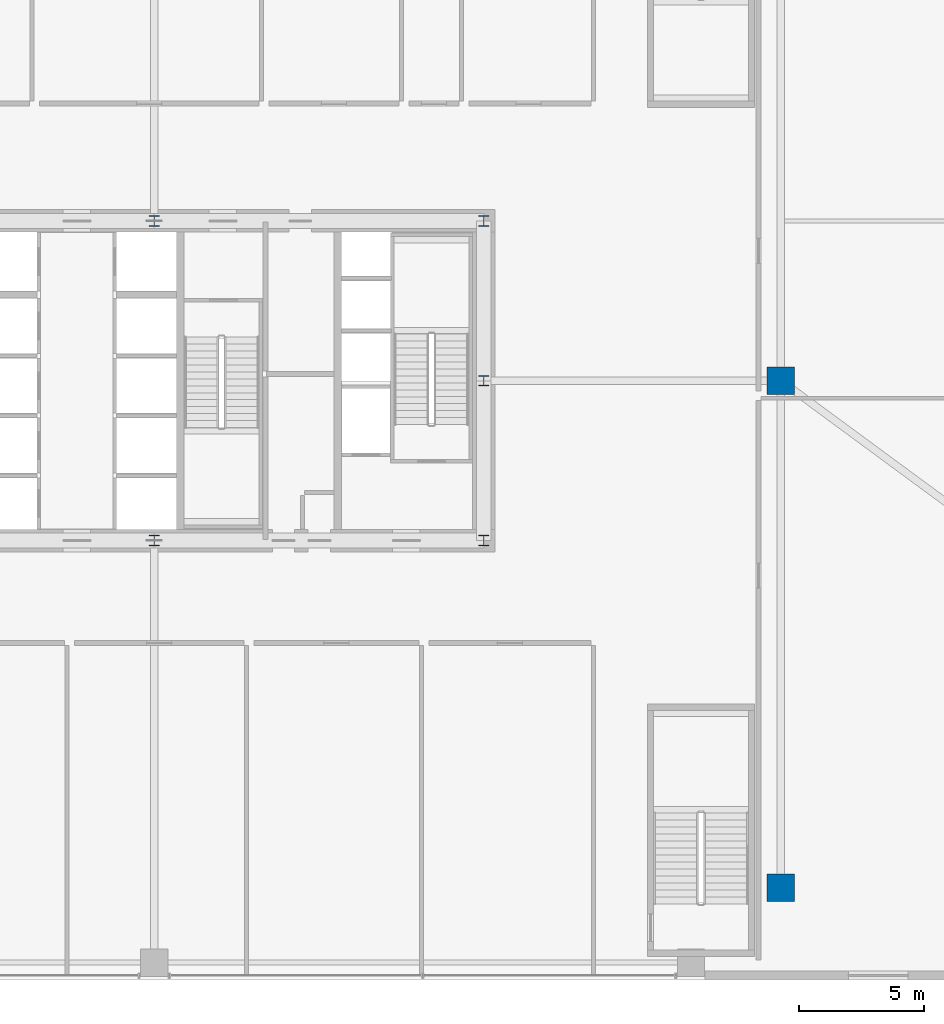
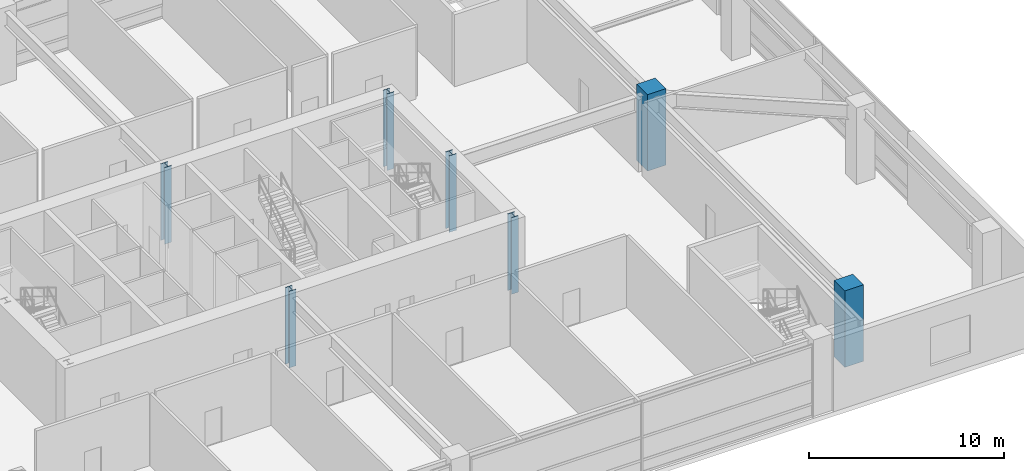
# One storey, part 2 of 39: 7 columns.
"""IFC4 building model written with IfcOpenShell, lengths in metres."""

from ifc_helpers import new_model, si_unit, direction, frame, origin, origin_2d, place, context, subcontext, project, spatial, rectangle, i_section, extrude, source, transform, mapped, material, material_profile, profile_set, type_object, element, save


model = new_model("IFC4")

# Units and contexts
model_context = context("Model", 3, precision=1e-05, world=origin(), true_north=direction((0.0, 1.0)))
body_context = subcontext(model_context, "Body", "Model", "MODEL_VIEW")
ifc_project = project(units=[si_unit("LENGTHUNIT", "METRE"), si_unit("AREAUNIT", "SQUARE_METRE"), si_unit("VOLUMEUNIT", "CUBIC_METRE"), si_unit("PLANEANGLEUNIT", "RADIAN"), si_unit("MASSUNIT", "GRAM", prefix="KILO"), si_unit("THERMODYNAMICTEMPERATUREUNIT", "KELVIN"), si_unit("POWERUNIT", "WATT")], contexts=[model_context])

# Site, building, storey
site_placement = place(None, origin())
site = spatial("IfcSite", under=ifc_project, at=site_placement, CompositionType="ELEMENT")
building_placement = place(site_placement, origin())
building = spatial("IfcBuilding", under=site, at=building_placement, Name="Yuzanri Waterfront Tower", CompositionType="ELEMENT")
storey_placement = place(building_placement, frame((0.0, 0.0, 15.0)))
storey = spatial("IfcBuildingStorey", under=building, at=storey_placement, Name="L04", CompositionType="ELEMENT", Elevation=15.0)

# Columns
ifc_material_1 = material(Name="Steel Q355B", Category="steel")
ifc_material_profile_1 = material_profile(ifc_material_1, i_section(OverallWidth=0.406982421875, OverallDepth=0.427978515625, WebThickness=0.02001953125, FlangeThickness=0.034912109375, at=origin_2d()), Name="HW 428x407x20x35")
ifc_profile_set_1 = profile_set([ifc_material_profile_1], Name="Steel Q355B")
column_type_1 = type_object("IfcColumnType", Name="Core Post Q355B HW 428x407x20x35", PredefinedType="COLUMN", material=ifc_profile_set_1)
shared_shape_1 = source(origin(), body_context, "Body", "SweptSolid", [
    extrude(i_section(OverallWidth=0.406982421875, OverallDepth=0.427978515625, WebThickness=0.02001953125, FlangeThickness=0.034912109375, at=origin_2d()), origin(), (0.0, 0.0, 1.0), 4.800048828125),
])
for number, where, z_axis, x_axis, name in (
    (1, (37.0, 19.39990234375, 0.0), (0.0, 0.0, 1.0), (1.0, 0.0, 0.0), "L04 Core Boundary Column CP2"),
    (2, (50.199951171875, 19.39990234375, 0.0), (0.0, 0.0, 1.0), (1.0, 0.0, 0.0), "L04 Core Boundary Column CP3"),
    (3, (50.199951171875, 25.800048828125, 0.0), (0.0, 0.0, 1.0), (1.0, 0.0, 0.0), "L04 Core Boundary Column CP5"),
    (4, (37.0, 32.199951171875, 0.0), (0.0, 0.0, 1.0), (1.0, 0.0, 0.0), "L04 Core Boundary Column CP7"),
    (5, (50.199951171875, 32.199951171875, 0.0), (0.0, 0.0, 1.0), (1.0, 0.0, 0.0), "L04 Core Boundary Column CP8"),
):
    element("IfcColumn", number, at=place(storey_placement, frame(where, z_axis=z_axis, x_axis=x_axis)), inside=storey, type_object=column_type_1, Name=name, PredefinedType="COLUMN", context=body_context, shape_type="MappedRepresentation", body=[
        mapped(shared_shape_1, transform((0.0, 0.0, 0.0), scale=1.0)),
    ])
ifc_material_2 = material(Name="Concrete C50", Category="concrete")
ifc_material_profile_2 = material_profile(ifc_material_2, rectangle(XDim=1.10009765625, YDim=1.10009765625, at=origin_2d()), Name="RC 1100x1100")
ifc_profile_set_2 = profile_set([ifc_material_profile_2], Name="Concrete C50")
column_type_2 = type_object("IfcColumnType", Name="Podium RC Column C50 1100x1100", PredefinedType="COLUMN", material=ifc_profile_set_2)
shared_shape_2 = source(origin(), body_context, "Body", "SweptSolid", [
    extrude(rectangle(XDim=1.10009765625, YDim=1.10009765625, at=origin_2d()), origin(), (0.0, 0.0, 1.0), 4.800048828125),
])
for number, where, z_axis, x_axis, name in (
    (6, (62.10009765625, 5.5, 0.0), (0.0, 0.0, 1.0), (1.0, 0.0, 0.0), "L04 Podium Column PTE1"),
    (7, (62.10009765625, 25.800048828125, 0.0), (0.0, 0.0, 1.0), (1.0, 0.0, 0.0), "L04 Podium Column PTE2"),
):
    element("IfcColumn", number, at=place(storey_placement, frame(where, z_axis=z_axis, x_axis=x_axis)), inside=storey, type_object=column_type_2, Name=name, PredefinedType="COLUMN", context=body_context, shape_type="MappedRepresentation", body=[
        mapped(shared_shape_2, transform((0.0, 0.0, 0.0), scale=1.0)),
    ])

save(model, "model.ifc")
